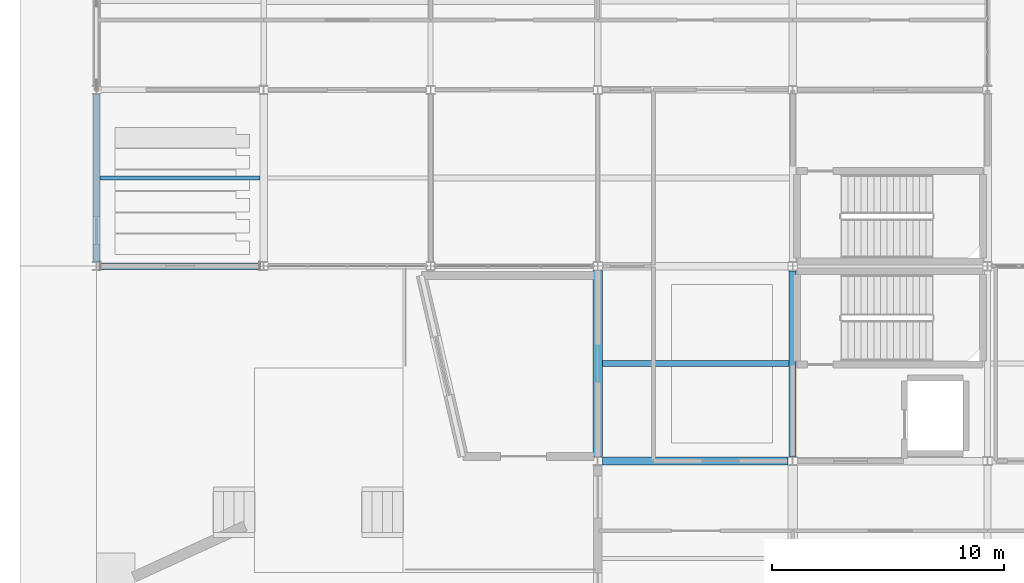
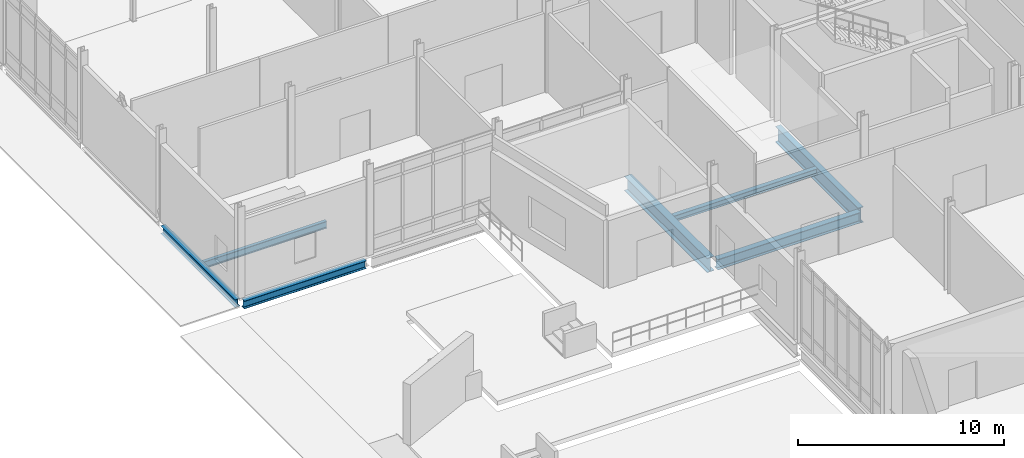
# One storey, part 26 of 229: 7 beams.
"""IFC4 building model written with IfcOpenShell, lengths in metres."""

from ifc_helpers import new_model, si_unit, direction, frame, origin, origin_2d, place, context, subcontext, project, spatial, i_section, extrude, material, material_profile, profile_set, type_object, element, save


model = new_model("IFC4")

# Units and contexts
model_context = context("Model", 3, precision=1e-05, world=origin(), true_north=direction((0.0, 1.0)))
body_context = subcontext(model_context, "Body", "Model", "MODEL_VIEW")
ifc_project = project(units=[si_unit("LENGTHUNIT", "METRE"), si_unit("AREAUNIT", "SQUARE_METRE"), si_unit("VOLUMEUNIT", "CUBIC_METRE"), si_unit("PLANEANGLEUNIT", "RADIAN"), si_unit("MASSUNIT", "GRAM", prefix="KILO")], contexts=[model_context])

# Site, building, storey
site_placement = place(None, origin())
site = spatial("IfcSite", under=ifc_project, at=site_placement, CompositionType="ELEMENT")
building_placement = place(site_placement, origin())
building = spatial("IfcBuilding", under=site, at=building_placement, Name="Calvrana Isthmian Art Gallery", CompositionType="ELEMENT")
storey_placement = place(building_placement, origin())
storey = spatial("IfcBuildingStorey", under=building, at=storey_placement, Name="L00", CompositionType="ELEMENT", Elevation=0.0)

# Beams
ifc_material = material(Name="Steel ASTM A992 Gr 50", Category="steel")
ifc_material_profile_1 = material_profile(ifc_material, i_section(OverallWidth=0.279052734375, OverallDepth=0.4619140625, WebThickness=0.0107421875, FlangeThickness=0.017333984375, FilletRadius=0.02001953125, at=origin_2d()), Name="W18X76")
ifc_profile_set_1 = profile_set([ifc_material_profile_1], Name="Steel ASTM A992 Gr 50")
beam_type_1 = type_object("IfcBeamType", Name="BM-G-W18X76", PredefinedType="BEAM", material=ifc_profile_set_1)
beam_1_placement = place(storey_placement, frame((0.1865234375, 46.800048828125, -0.51611328125), z_axis=(1.0, 0.0, 0.0), x_axis=(0.0, 1.0, 0.0)))
element("IfcBeam", 1, at=beam_1_placement, inside=storey, type_object=beam_type_1, Name="Girder X L00 01-02/G", PredefinedType="BEAM", context=body_context, shape_type="SweptSolid", body=[
    extrude(i_section(OverallWidth=0.279052734375, OverallDepth=0.4619140625, WebThickness=0.0107421875, FlangeThickness=0.017333984375, FilletRadius=0.02001953125, at=origin_2d()), origin(), (0.0, 0.0, 1.0), 6.827880859375),
])
beam_2_placement = place(storey_placement, frame((0.0, 46.98388671875, -0.51611328125), z_axis=(0.0, 1.0, 0.0), x_axis=(-1.0, 0.0, 0.0)))
element("IfcBeam", 2, at=beam_2_placement, inside=storey, type_object=beam_type_1, Name="Girder Y L00 01/G-H", PredefinedType="BEAM", context=body_context, shape_type="SweptSolid", body=[
    extrude(i_section(OverallWidth=0.279052734375, OverallDepth=0.4619140625, WebThickness=0.0107421875, FlangeThickness=0.017333984375, FilletRadius=0.02001953125, at=origin_2d()), origin(), (0.0, 0.0, 1.0), 7.2294921875),
])
ifc_material_profile_2 = material_profile(ifc_material, i_section(OverallWidth=0.327880859375, OverallDepth=0.6220703125, WebThickness=0.015380859375, FlangeThickness=0.0244140625, FilletRadius=0.02197265625, at=origin_2d()), Name="W24X131")
ifc_profile_set_2 = profile_set([ifc_material_profile_2], Name="Steel ASTM A992 Gr 50")
beam_type_2 = type_object("IfcBeamType", Name="BM-G-W24X131", PredefinedType="BEAM", material=ifc_profile_set_2)
beam_3_placement = place(storey_placement, frame((21.798095703125, 38.39990234375, -0.595947265625), z_axis=(1.0, 0.0, 0.0), x_axis=(0.0, 1.0, 0.0)))
element("IfcBeam", 3, at=beam_3_placement, inside=storey, type_object=beam_type_2, Name="Girder X L00 04-05/F", PredefinedType="BEAM", context=body_context, shape_type="SweptSolid", body=[
    extrude(i_section(OverallWidth=0.327880859375, OverallDepth=0.6220703125, WebThickness=0.015380859375, FlangeThickness=0.0244140625, FilletRadius=0.02197265625, at=origin_2d()), origin(), (0.0, 0.0, 1.0), 8.00146484375),
])
ifc_material_profile_3 = material_profile(ifc_material, i_section(OverallWidth=0.40087890625, OverallDepth=0.85595703125, WebThickness=0.018310546875, FlangeThickness=0.029296875, FilletRadius=0.02587890625, at=origin_2d()), Name="W33X201")
ifc_profile_set_3 = profile_set([ifc_material_profile_3], Name="Steel ASTM A992 Gr 50")
beam_type_3 = type_object("IfcBeamType", Name="BM-G-W33X201", PredefinedType="BEAM", material=ifc_profile_set_3)
beam_4_placement = place(storey_placement, frame((21.60009765625, 38.590576171875, -0.712890625), z_axis=(0.0, 1.0, 0.0), x_axis=(-1.0, 0.0, 0.0)))
element("IfcBeam", 4, at=beam_4_placement, inside=storey, type_object=beam_type_3, Name="Girder Y L00 04/F-G", PredefinedType="BEAM", context=body_context, shape_type="SweptSolid", body=[
    extrude(i_section(OverallWidth=0.40087890625, OverallDepth=0.85595703125, WebThickness=0.018310546875, FlangeThickness=0.029296875, FilletRadius=0.02587890625, at=origin_2d()), origin(), (0.0, 0.0, 1.0), 8.016357421875),
])
ifc_material_profile_4 = material_profile(ifc_material, i_section(OverallWidth=0.306884765625, OverallDepth=0.927001953125, WebThickness=0.019287109375, FlangeThickness=0.031982421875, FilletRadius=0.028076171875, at=origin_2d()), Name="W36X194")
ifc_profile_set_4 = profile_set([ifc_material_profile_4], Name="Steel ASTM A992 Gr 50")
beam_type_4 = type_object("IfcBeamType", Name="BM-G-W36X194", PredefinedType="BEAM", material=ifc_profile_set_4)
beam_5_placement = place(storey_placement, frame((30.0, 38.599609375, -0.74853515625), z_axis=(0.0, 1.0, 0.0), x_axis=(-1.0, 0.0, 0.0)))
element("IfcBeam", 5, at=beam_5_placement, inside=storey, type_object=beam_type_4, Name="Girder Y L00 05/F-G", PredefinedType="BEAM", context=body_context, shape_type="SweptSolid", body=[
    extrude(i_section(OverallWidth=0.306884765625, OverallDepth=0.927001953125, WebThickness=0.019287109375, FlangeThickness=0.031982421875, FilletRadius=0.028076171875, at=origin_2d()), origin(), (0.0, 0.0, 1.0), 7.997314453125),
])
ifc_material_profile_5 = material_profile(ifc_material, i_section(OverallWidth=0.25390625, OverallDepth=0.35302734375, WebThickness=0.009521484375, FlangeThickness=0.016357421875, FilletRadius=0.01806640625, at=origin_2d()), Name="W14X61")
ifc_profile_set_5 = profile_set([ifc_material_profile_5], Name="Steel ASTM A992 Gr 50")
beam_type_5 = type_object("IfcBeamType", Name="BM-J-W14X61", PredefinedType="JOIST", material=ifc_profile_set_5)
beam_6_placement = place(storey_placement, frame((21.800537109375, 42.60009765625, -0.46142578125), z_axis=(1.0, 0.0, 0.0), x_axis=(0.0, 1.0, 0.0)))
element("IfcBeam", 6, at=beam_6_placement, inside=storey, type_object=beam_type_5, Name="Composite joist L00 bay 03-05", PredefinedType="JOIST", context=body_context, shape_type="SweptSolid", body=[
    extrude(i_section(OverallWidth=0.25390625, OverallDepth=0.35302734375, WebThickness=0.009521484375, FlangeThickness=0.016357421875, FilletRadius=0.01806640625, at=origin_2d()), origin(), (0.0, 0.0, 1.0), 8.0458984375),
])
ifc_material_profile_6 = material_profile(ifc_material, i_section(OverallWidth=0.179931640625, OverallDepth=0.4140625, WebThickness=0.009765625, FlangeThickness=0.01611328125, FilletRadius=0.01806640625, at=origin_2d()), Name="W16X50")
ifc_profile_set_6 = profile_set([ifc_material_profile_6], Name="Steel ASTM A992 Gr 50")
beam_type_6 = type_object("IfcBeamType", Name="BM-J-W16X50", PredefinedType="JOIST", material=ifc_profile_set_6)
beam_7_placement = place(storey_placement, frame((0.139404296875, 50.60009765625, -0.491943359375), z_axis=(1.0, 0.0, 0.0), x_axis=(0.0, 1.0, 0.0)))
element("IfcBeam", 7, at=beam_7_placement, inside=storey, type_object=beam_type_6, Name="Composite joist L00 bay 00-06", PredefinedType="JOIST", context=body_context, shape_type="SweptSolid", body=[
    extrude(i_section(OverallWidth=0.179931640625, OverallDepth=0.4140625, WebThickness=0.009765625, FlangeThickness=0.01611328125, FilletRadius=0.01806640625, at=origin_2d()), origin(), (0.0, 0.0, 1.0), 6.898193359375),
])

save(model, "model.ifc")
